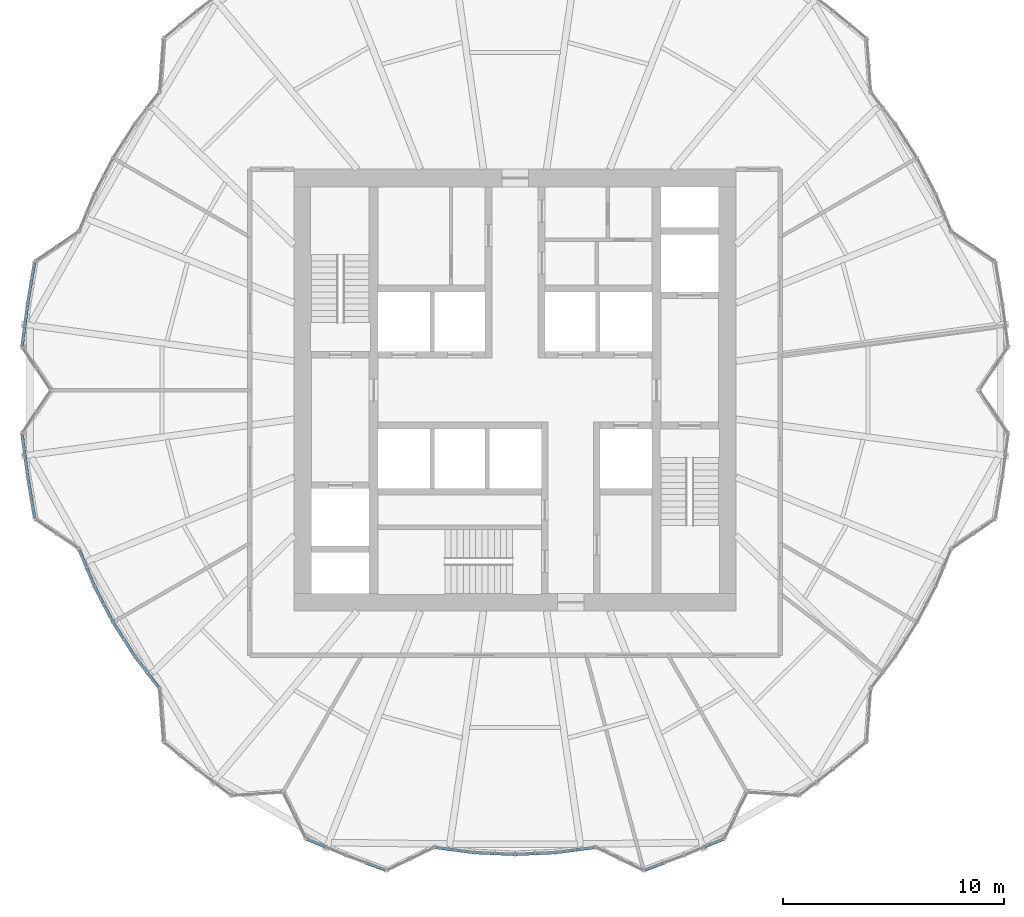
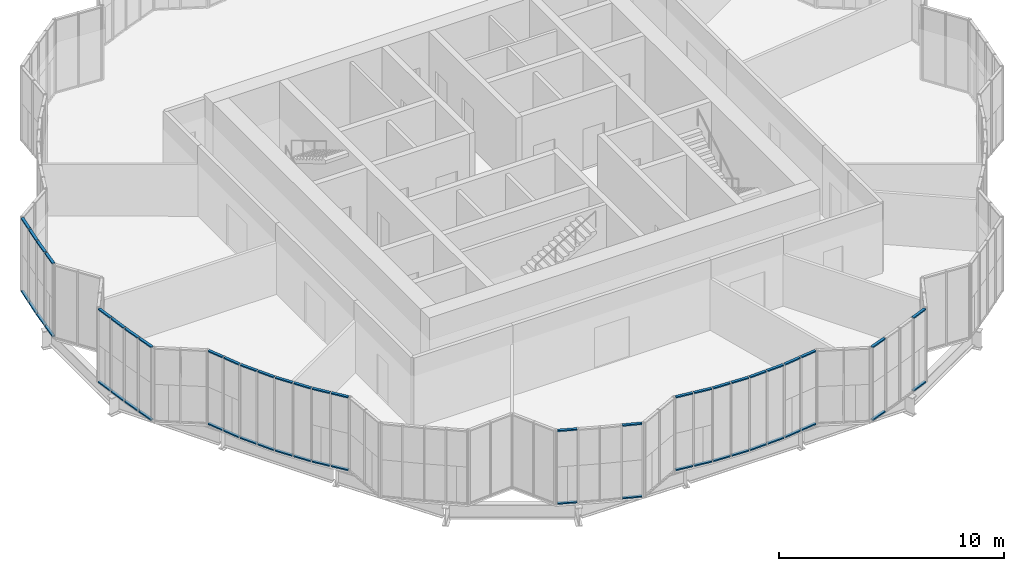
# One storey, part 9 of 22: 56 members, 16 elements without a shape of their own.
"""IFC4 building model written with IfcOpenShell, lengths in metres."""

from ifc_helpers import new_model, si_unit, direction, frame, origin, origin_2d, place, context, subcontext, project, spatial, rectangle, extrude, material, material_profile, profile_set, type_object, element, aggregate, save


model = new_model("IFC4")

# Units and contexts
model_context = context("Model", 3, precision=1e-05, world=origin(), true_north=direction((0.0, 1.0)))
body_context = subcontext(model_context, "Body", "Model", "MODEL_VIEW")
ifc_project = project(units=[si_unit("LENGTHUNIT", "METRE"), si_unit("AREAUNIT", "SQUARE_METRE"), si_unit("VOLUMEUNIT", "CUBIC_METRE"), si_unit("PLANEANGLEUNIT", "RADIAN"), si_unit("MASSUNIT", "GRAM", prefix="KILO")], contexts=[model_context])

# Site, building, storey
site_placement = place(None, origin())
site = spatial("IfcSite", under=ifc_project, at=site_placement, CompositionType="ELEMENT")
building_placement = place(site_placement, origin())
building = spatial("IfcBuilding", under=site, at=building_placement, Name="Golbaran Civic Tower", CompositionType="ELEMENT")
storey_placement = place(building_placement, frame((0.0, 0.0, 29.0)))
storey = spatial("IfcBuildingStorey", under=building, at=storey_placement, Name="L06", CompositionType="ELEMENT", Elevation=29.0)

# Curtain wall, members
ifc_material_1 = material(Name="Aluminium and glass", Category="aluminium")
curtain_wall_type = type_object("IfcCurtainWallType", Name="INNER SKIN CURTAIN WALL", PredefinedType="NOTDEFINED", material=ifc_material_1)
curtain_wall_1_placement = place(storey_placement, origin())
curtain_wall_1 = element("IfcCurtainWall", 1, at=curtain_wall_1_placement, inside=storey, type_object=curtain_wall_type, Name="Inner skin L06 facet 34 CW1", ObjectType="INNER SKIN", PredefinedType="USERDEFINED")
ifc_material_2 = material(Name="Aluminium", Category="aluminium")
ifc_material_profile = material_profile(ifc_material_2, rectangle(XDim=0.139892578125, YDim=0.06494140625, at=origin_2d()), Name="INNER SKIN CURTAIN WALL TRANSOM")
ifc_profile_set = profile_set([ifc_material_profile], Name="Aluminium")
member_type = type_object("IfcMemberType", Name="INNER SKIN CURTAIN WALL TRANSOM", PredefinedType="USERDEFINED", material=ifc_profile_set)
member_1_placement = place(storey_placement, frame((-21.745849609375, 5.759765625, 0.032470703125), z_axis=(-0.164488646574, -0.986378976433, 0.0), x_axis=(0.986378976433, -0.164488646574, 0.0)))
member_1 = element("IfcMember", 2, at=member_1_placement, type_object=member_type, Name="CW1 transom 1.1", ObjectType="TRANSOM", PredefinedType="USERDEFINED", context=body_context, shape_type="SweptSolid", body=[
    extrude(rectangle(XDim=0.139892578125, YDim=0.06494140625, at=origin_2d()), origin(), (0.0, 0.0, 1.0), 0.883056640625),
])
member_2_placement = place(storey_placement, frame((-21.745849609375, 5.759765625, 3.967529296875), z_axis=(-0.164488646574, -0.986378976433, 0.0), x_axis=(0.986378976433, -0.164488646574, 0.0)))
member_2 = element("IfcMember", 3, at=member_2_placement, type_object=member_type, Name="CW1 transom 1.2", ObjectType="TRANSOM", PredefinedType="USERDEFINED", context=body_context, shape_type="SweptSolid", body=[
    extrude(rectangle(XDim=0.139892578125, YDim=0.06494140625, at=origin_2d()), origin(), (0.0, 0.0, 1.0), 0.883056640625),
])
member_3_placement = place(storey_placement, frame((-21.90185546875, 4.82470703125, 0.032470703125), z_axis=(-0.164485447989, -0.986379509824, 0.0), x_axis=(0.986379509824, -0.164485447989, 0.0)))
member_3 = element("IfcMember", 4, at=member_3_placement, type_object=member_type, Name="CW1 transom 2.1", ObjectType="TRANSOM", PredefinedType="USERDEFINED", context=body_context, shape_type="SweptSolid", body=[
    extrude(rectangle(XDim=0.139892578125, YDim=0.06494140625, at=origin_2d()), origin(), (0.0, 0.0, 1.0), 0.915771484375),
])
member_4_placement = place(storey_placement, frame((-21.90185546875, 4.82470703125, 3.967529296875), z_axis=(-0.164485447989, -0.986379509824, 0.0), x_axis=(0.986379509824, -0.164485447989, 0.0)))
member_4 = element("IfcMember", 5, at=member_4_placement, type_object=member_type, Name="CW1 transom 2.2", ObjectType="TRANSOM", PredefinedType="USERDEFINED", context=body_context, shape_type="SweptSolid", body=[
    extrude(rectangle(XDim=0.139892578125, YDim=0.06494140625, at=origin_2d()), origin(), (0.0, 0.0, 1.0), 0.915771484375),
])
aggregate(curtain_wall_1, [member_1, member_2, member_3, member_4])

curtain_wall_2_placement = place(storey_placement, origin())
curtain_wall_2 = element("IfcCurtainWall", 6, at=curtain_wall_2_placement, inside=storey, type_object=curtain_wall_type, Name="Inner skin L06 facet 35 CW1", ObjectType="INNER SKIN", PredefinedType="USERDEFINED")
member_5_placement = place(storey_placement, frame((-22.06201171875, 3.857177734375, 0.032470703125), z_axis=(-0.130357573259, -0.991467045894, 0.0), x_axis=(0.991467045894, -0.130357573259, 0.0)))
member_5 = element("IfcMember", 7, at=member_5_placement, type_object=member_type, Name="CW1 transom 1.1", ObjectType="TRANSOM", PredefinedType="USERDEFINED", context=body_context, shape_type="SweptSolid", body=[
    extrude(rectangle(XDim=0.139892578125, YDim=0.06494140625, at=origin_2d()), origin(), (0.0, 0.0, 1.0), 0.912109375),
])
member_6_placement = place(storey_placement, frame((-22.06201171875, 3.857177734375, 3.967529296875), z_axis=(-0.130357573259, -0.991467045894, 0.0), x_axis=(0.991467045894, -0.130357573259, 0.0)))
member_6 = element("IfcMember", 8, at=member_6_placement, type_object=member_type, Name="CW1 transom 1.2", ObjectType="TRANSOM", PredefinedType="USERDEFINED", context=body_context, shape_type="SweptSolid", body=[
    extrude(rectangle(XDim=0.139892578125, YDim=0.06494140625, at=origin_2d()), origin(), (0.0, 0.0, 1.0), 0.912109375),
])
member_7_placement = place(storey_placement, frame((-22.189453125, 2.888427734375, 0.032470703125), z_axis=(-0.130490422253, -0.991449569923, 0.0), x_axis=(0.991449569923, -0.130490422253, 0.0)))
member_7 = element("IfcMember", 9, at=member_7_placement, type_object=member_type, Name="CW1 transom 2.1", ObjectType="TRANSOM", PredefinedType="USERDEFINED", context=body_context, shape_type="SweptSolid", body=[
    extrude(rectangle(XDim=0.139892578125, YDim=0.06494140625, at=origin_2d()), origin(), (0.0, 0.0, 1.0), 0.87939453125),
])
member_8_placement = place(storey_placement, frame((-22.189453125, 2.888427734375, 3.967529296875), z_axis=(-0.130490422253, -0.991449569923, 0.0), x_axis=(0.991449569923, -0.130490422253, 0.0)))
member_8 = element("IfcMember", 10, at=member_8_placement, type_object=member_type, Name="CW1 transom 2.2", ObjectType="TRANSOM", PredefinedType="USERDEFINED", context=body_context, shape_type="SweptSolid", body=[
    extrude(rectangle(XDim=0.139892578125, YDim=0.06494140625, at=origin_2d()), origin(), (0.0, 0.0, 1.0), 0.87939453125),
])
aggregate(curtain_wall_2, [member_5, member_6, member_7, member_8])

curtain_wall_3_placement = place(storey_placement, origin())
curtain_wall_3 = element("IfcCurtainWall", 11, at=curtain_wall_3_placement, inside=storey, type_object=curtain_wall_type, Name="Inner skin L06 facet 38 CW1", ObjectType="INNER SKIN", PredefinedType="USERDEFINED")
member_9_placement = place(storey_placement, frame((-22.30419921875, -2.0166015625, 0.032470703125), z_axis=(0.130490422253, -0.991449569923, 0.0), x_axis=(0.991449569923, 0.130490422253, 0.0)))
member_9 = element("IfcMember", 12, at=member_9_placement, type_object=member_type, Name="CW1 transom 1.1", ObjectType="TRANSOM", PredefinedType="USERDEFINED", context=body_context, shape_type="SweptSolid", body=[
    extrude(rectangle(XDim=0.139892578125, YDim=0.06494140625, at=origin_2d()), origin(), (0.0, 0.0, 1.0), 0.87939453125),
])
member_10_placement = place(storey_placement, frame((-22.30419921875, -2.0166015625, 3.967529296875), z_axis=(0.130490422253, -0.991449569923, 0.0), x_axis=(0.991449569923, 0.130490422253, 0.0)))
member_10 = element("IfcMember", 13, at=member_10_placement, type_object=member_type, Name="CW1 transom 1.2", ObjectType="TRANSOM", PredefinedType="USERDEFINED", context=body_context, shape_type="SweptSolid", body=[
    extrude(rectangle(XDim=0.139892578125, YDim=0.06494140625, at=origin_2d()), origin(), (0.0, 0.0, 1.0), 0.87939453125),
])
member_11_placement = place(storey_placement, frame((-22.180908203125, -2.952880859375, 0.032470703125), z_axis=(0.130357573259, -0.991467045894, 0.0), x_axis=(0.991467045894, 0.130357573259, 0.0)))
member_11 = element("IfcMember", 14, at=member_11_placement, type_object=member_type, Name="CW1 transom 2.1", ObjectType="TRANSOM", PredefinedType="USERDEFINED", context=body_context, shape_type="SweptSolid", body=[
    extrude(rectangle(XDim=0.139892578125, YDim=0.06494140625, at=origin_2d()), origin(), (0.0, 0.0, 1.0), 0.912109375),
])
member_12_placement = place(storey_placement, frame((-22.180908203125, -2.952880859375, 3.967529296875), z_axis=(0.130357573259, -0.991467045894, 0.0), x_axis=(0.991467045894, 0.130357573259, 0.0)))
member_12 = element("IfcMember", 15, at=member_12_placement, type_object=member_type, Name="CW1 transom 2.2", ObjectType="TRANSOM", PredefinedType="USERDEFINED", context=body_context, shape_type="SweptSolid", body=[
    extrude(rectangle(XDim=0.139892578125, YDim=0.06494140625, at=origin_2d()), origin(), (0.0, 0.0, 1.0), 0.912109375),
])
aggregate(curtain_wall_3, [member_9, member_10, member_11, member_12])

curtain_wall_4_placement = place(storey_placement, origin())
curtain_wall_4 = element("IfcCurtainWall", 16, at=curtain_wall_4_placement, inside=storey, type_object=curtain_wall_type, Name="Inner skin L06 facet 39 CW1", ObjectType="INNER SKIN", PredefinedType="USERDEFINED")
member_13_placement = place(storey_placement, frame((-22.052490234375, -3.92138671875, 0.032470703125), z_axis=(0.164485447989, -0.986379509824, 0.0), x_axis=(0.986379509824, 0.164485447989, 0.0)))
member_13 = element("IfcMember", 17, at=member_13_placement, type_object=member_type, Name="CW1 transom 1.1", ObjectType="TRANSOM", PredefinedType="USERDEFINED", context=body_context, shape_type="SweptSolid", body=[
    extrude(rectangle(XDim=0.139892578125, YDim=0.06494140625, at=origin_2d()), origin(), (0.0, 0.0, 1.0), 0.915771484375),
])
member_14_placement = place(storey_placement, frame((-22.052490234375, -3.92138671875, 3.967529296875), z_axis=(0.164485447989, -0.986379509824, 0.0), x_axis=(0.986379509824, 0.164485447989, 0.0)))
member_14 = element("IfcMember", 18, at=member_14_placement, type_object=member_type, Name="CW1 transom 1.2", ObjectType="TRANSOM", PredefinedType="USERDEFINED", context=body_context, shape_type="SweptSolid", body=[
    extrude(rectangle(XDim=0.139892578125, YDim=0.06494140625, at=origin_2d()), origin(), (0.0, 0.0, 1.0), 0.915771484375),
])
member_15_placement = place(storey_placement, frame((-21.89111328125, -4.888671875, 0.032470703125), z_axis=(0.164488646574, -0.986378976433, 0.0), x_axis=(0.986378976433, 0.164488646574, 0.0)))
member_15 = element("IfcMember", 19, at=member_15_placement, type_object=member_type, Name="CW1 transom 2.1", ObjectType="TRANSOM", PredefinedType="USERDEFINED", context=body_context, shape_type="SweptSolid", body=[
    extrude(rectangle(XDim=0.139892578125, YDim=0.06494140625, at=origin_2d()), origin(), (0.0, 0.0, 1.0), 0.883056640625),
])
member_16_placement = place(storey_placement, frame((-21.89111328125, -4.888671875, 3.967529296875), z_axis=(0.164488646574, -0.986378976433, 0.0), x_axis=(0.986378976433, 0.164488646574, 0.0)))
member_16 = element("IfcMember", 20, at=member_16_placement, type_object=member_type, Name="CW1 transom 2.2", ObjectType="TRANSOM", PredefinedType="USERDEFINED", context=body_context, shape_type="SweptSolid", body=[
    extrude(rectangle(XDim=0.139892578125, YDim=0.06494140625, at=origin_2d()), origin(), (0.0, 0.0, 1.0), 0.883056640625),
])
aggregate(curtain_wall_4, [member_13, member_14, member_15, member_16])

curtain_wall_5_placement = place(storey_placement, origin())
curtain_wall_5 = element("IfcCurtainWall", 21, at=curtain_wall_5_placement, inside=storey, type_object=curtain_wall_type, Name="Inner skin L06 facet 41 CW1", ObjectType="INNER SKIN", PredefinedType="USERDEFINED")
member_17_placement = place(storey_placement, frame((-19.71337890625, -7.244140625, 0.032470703125), z_axis=(0.382623964136, -0.923904162816, 0.0), x_axis=(0.923904162816, 0.382623964136, 0.0)))
member_17 = element("IfcMember", 22, at=member_17_placement, type_object=member_type, Name="CW1 transom 1.1", ObjectType="TRANSOM", PredefinedType="USERDEFINED", context=body_context, shape_type="SweptSolid", body=[
    extrude(rectangle(XDim=0.139892578125, YDim=0.06494140625, at=origin_2d()), origin(), (0.0, 0.0, 1.0), 0.818603515625),
])
member_18_placement = place(storey_placement, frame((-19.71337890625, -7.244140625, 3.967529296875), z_axis=(0.382623964136, -0.923904162816, 0.0), x_axis=(0.923904162816, 0.382623964136, 0.0)))
member_18 = element("IfcMember", 23, at=member_18_placement, type_object=member_type, Name="CW1 transom 1.2", ObjectType="TRANSOM", PredefinedType="USERDEFINED", context=body_context, shape_type="SweptSolid", body=[
    extrude(rectangle(XDim=0.139892578125, YDim=0.06494140625, at=origin_2d()), origin(), (0.0, 0.0, 1.0), 0.818603515625),
])
member_19_placement = place(storey_placement, frame((-19.375244140625, -8.060546875, 0.032470703125), z_axis=(0.382782280315, -0.923838582154, 0.0), x_axis=(0.923838582154, 0.382782280315, 0.0)))
member_19 = element("IfcMember", 24, at=member_19_placement, type_object=member_type, Name="CW1 transom 2.1", ObjectType="TRANSOM", PredefinedType="USERDEFINED", context=body_context, shape_type="SweptSolid", body=[
    extrude(rectangle(XDim=0.139892578125, YDim=0.06494140625, at=origin_2d()), origin(), (0.0, 0.0, 1.0), 0.8515625),
])
member_20_placement = place(storey_placement, frame((-19.375244140625, -8.060546875, 3.967529296875), z_axis=(0.382782280315, -0.923838582154, 0.0), x_axis=(0.923838582154, 0.382782280315, 0.0)))
member_20 = element("IfcMember", 25, at=member_20_placement, type_object=member_type, Name="CW1 transom 2.2", ObjectType="TRANSOM", PredefinedType="USERDEFINED", context=body_context, shape_type="SweptSolid", body=[
    extrude(rectangle(XDim=0.139892578125, YDim=0.06494140625, at=origin_2d()), origin(), (0.0, 0.0, 1.0), 0.8515625),
])
aggregate(curtain_wall_5, [member_17, member_18, member_19, member_20])

curtain_wall_6_placement = place(storey_placement, origin())
curtain_wall_6 = element("IfcCurtainWall", 26, at=curtain_wall_6_placement, inside=storey, type_object=curtain_wall_type, Name="Inner skin L06 facet 42 CW1", ObjectType="INNER SKIN", PredefinedType="USERDEFINED")
member_21_placement = place(storey_placement, frame((-19.02197265625, -8.906005859375, 0.032470703125), z_axis=(0.461840396749, -0.886963047669, 0.0), x_axis=(0.886963047669, 0.461840396749, 0.0)))
member_21 = element("IfcMember", 27, at=member_21_placement, type_object=member_type, Name="CW1 transom 1.1", ObjectType="TRANSOM", PredefinedType="USERDEFINED", context=body_context, shape_type="SweptSolid", body=[
    extrude(rectangle(XDim=0.139892578125, YDim=0.06494140625, at=origin_2d()), origin(), (0.0, 0.0, 1.0), 0.85107421875),
])
member_22_placement = place(storey_placement, frame((-19.02197265625, -8.906005859375, 3.967529296875), z_axis=(0.461840396749, -0.886963047669, 0.0), x_axis=(0.886963047669, 0.461840396749, 0.0)))
member_22 = element("IfcMember", 28, at=member_22_placement, type_object=member_type, Name="CW1 transom 1.2", ObjectType="TRANSOM", PredefinedType="USERDEFINED", context=body_context, shape_type="SweptSolid", body=[
    extrude(rectangle(XDim=0.139892578125, YDim=0.06494140625, at=origin_2d()), origin(), (0.0, 0.0, 1.0), 0.85107421875),
])
member_23_placement = place(storey_placement, frame((-18.598876953125, -9.718505859375, 0.032470703125), z_axis=(0.461722915657, -0.887024210017, 0.0), x_axis=(0.887024210017, 0.461722915657, 0.0)))
member_23 = element("IfcMember", 29, at=member_23_placement, type_object=member_type, Name="CW1 transom 2.1", ObjectType="TRANSOM", PredefinedType="USERDEFINED", context=body_context, shape_type="SweptSolid", body=[
    extrude(rectangle(XDim=0.139892578125, YDim=0.06494140625, at=origin_2d()), origin(), (0.0, 0.0, 1.0), 0.851318359375),
])
member_24_placement = place(storey_placement, frame((-18.598876953125, -9.718505859375, 3.967529296875), z_axis=(0.461722915657, -0.887024210017, 0.0), x_axis=(0.887024210017, 0.461722915657, 0.0)))
member_24 = element("IfcMember", 30, at=member_24_placement, type_object=member_type, Name="CW1 transom 2.2", ObjectType="TRANSOM", PredefinedType="USERDEFINED", context=body_context, shape_type="SweptSolid", body=[
    extrude(rectangle(XDim=0.139892578125, YDim=0.06494140625, at=origin_2d()), origin(), (0.0, 0.0, 1.0), 0.851318359375),
])
aggregate(curtain_wall_6, [member_21, member_22, member_23, member_24])

curtain_wall_7_placement = place(storey_placement, origin())
curtain_wall_7 = element("IfcCurtainWall", 31, at=curtain_wall_7_placement, inside=storey, type_object=curtain_wall_type, Name="Inner skin L06 facet 43 CW1", ObjectType="INNER SKIN", PredefinedType="USERDEFINED")
member_25_placement = place(storey_placement, frame((-18.17333984375, -10.530029296875, 0.032470703125), z_axis=(0.537302349411, -0.843389699556, 0.0), x_axis=(0.843389699556, 0.537302349411, 0.0)))
member_25 = element("IfcMember", 32, at=member_25_placement, type_object=member_type, Name="CW1 transom 1.1", ObjectType="TRANSOM", PredefinedType="USERDEFINED", context=body_context, shape_type="SweptSolid", body=[
    extrude(rectangle(XDim=0.139892578125, YDim=0.06494140625, at=origin_2d()), origin(), (0.0, 0.0, 1.0), 0.85107421875),
])
member_26_placement = place(storey_placement, frame((-18.17333984375, -10.530029296875, 3.967529296875), z_axis=(0.537302349411, -0.843389699556, 0.0), x_axis=(0.843389699556, 0.537302349411, 0.0)))
member_26 = element("IfcMember", 33, at=member_26_placement, type_object=member_type, Name="CW1 transom 1.2", ObjectType="TRANSOM", PredefinedType="USERDEFINED", context=body_context, shape_type="SweptSolid", body=[
    extrude(rectangle(XDim=0.139892578125, YDim=0.06494140625, at=origin_2d()), origin(), (0.0, 0.0, 1.0), 0.85107421875),
])
member_27_placement = place(storey_placement, frame((-17.68115234375, -11.302734375, 0.032470703125), z_axis=(0.537506352684, -0.843259699514, 0.0), x_axis=(0.843259699514, 0.537506352684, 0.0)))
member_27 = element("IfcMember", 34, at=member_27_placement, type_object=member_type, Name="CW1 transom 2.1", ObjectType="TRANSOM", PredefinedType="USERDEFINED", context=body_context, shape_type="SweptSolid", body=[
    extrude(rectangle(XDim=0.139892578125, YDim=0.06494140625, at=origin_2d()), origin(), (0.0, 0.0, 1.0), 0.85107421875),
])
member_28_placement = place(storey_placement, frame((-17.68115234375, -11.302734375, 3.967529296875), z_axis=(0.537506352684, -0.843259699514, 0.0), x_axis=(0.843259699514, 0.537506352684, 0.0)))
member_28 = element("IfcMember", 35, at=member_28_placement, type_object=member_type, Name="CW1 transom 2.2", ObjectType="TRANSOM", PredefinedType="USERDEFINED", context=body_context, shape_type="SweptSolid", body=[
    extrude(rectangle(XDim=0.139892578125, YDim=0.06494140625, at=origin_2d()), origin(), (0.0, 0.0, 1.0), 0.85107421875),
])
aggregate(curtain_wall_7, [member_25, member_26, member_27, member_28])

curtain_wall_8_placement = place(storey_placement, origin())
curtain_wall_8 = element("IfcCurtainWall", 36, at=curtain_wall_8_placement, inside=storey, type_object=curtain_wall_type, Name="Inner skin L06 facet 44 CW1", ObjectType="INNER SKIN", PredefinedType="USERDEFINED")
member_29_placement = place(storey_placement, frame((-17.1865234375, -12.07373046875, 0.032470703125), z_axis=(0.608864956283, -0.793273890287, 0.0), x_axis=(0.793273890287, 0.608864956283, 0.0)))
member_29 = element("IfcMember", 37, at=member_29_placement, type_object=member_type, Name="CW1 transom 1.1", ObjectType="TRANSOM", PredefinedType="USERDEFINED", context=body_context, shape_type="SweptSolid", body=[
    extrude(rectangle(XDim=0.139892578125, YDim=0.06494140625, at=origin_2d()), origin(), (0.0, 0.0, 1.0), 0.851318359375),
])
member_30_placement = place(storey_placement, frame((-17.1865234375, -12.07373046875, 3.967529296875), z_axis=(0.608864956283, -0.793273890287, 0.0), x_axis=(0.793273890287, 0.608864956283, 0.0)))
member_30 = element("IfcMember", 38, at=member_30_placement, type_object=member_type, Name="CW1 transom 1.2", ObjectType="TRANSOM", PredefinedType="USERDEFINED", context=body_context, shape_type="SweptSolid", body=[
    extrude(rectangle(XDim=0.139892578125, YDim=0.06494140625, at=origin_2d()), origin(), (0.0, 0.0, 1.0), 0.851318359375),
])
member_31_placement = place(storey_placement, frame((-16.628662109375, -12.800537109375, 0.032470703125), z_axis=(0.608600551426, -0.793476760091, 0.0), x_axis=(0.793476760091, 0.608600551426, 0.0)))
member_31 = element("IfcMember", 39, at=member_31_placement, type_object=member_type, Name="CW1 transom 2.1", ObjectType="TRANSOM", PredefinedType="USERDEFINED", context=body_context, shape_type="SweptSolid", body=[
    extrude(rectangle(XDim=0.139892578125, YDim=0.06494140625, at=origin_2d()), origin(), (0.0, 0.0, 1.0), 0.81884765625),
])
member_32_placement = place(storey_placement, frame((-16.628662109375, -12.800537109375, 3.967529296875), z_axis=(0.608600551426, -0.793476760091, 0.0), x_axis=(0.793476760091, 0.608600551426, 0.0)))
member_32 = element("IfcMember", 40, at=member_32_placement, type_object=member_type, Name="CW1 transom 2.2", ObjectType="TRANSOM", PredefinedType="USERDEFINED", context=body_context, shape_type="SweptSolid", body=[
    extrude(rectangle(XDim=0.139892578125, YDim=0.06494140625, at=origin_2d()), origin(), (0.0, 0.0, 1.0), 0.81884765625),
])
aggregate(curtain_wall_8, [member_29, member_30, member_31, member_32])

curtain_wall_9_placement = place(storey_placement, origin())
curtain_wall_9 = element("IfcCurtainWall", 41, at=curtain_wall_9_placement, inside=storey, type_object=curtain_wall_type, Name="Inner skin L06 facet 50 CW1", ObjectType="INNER SKIN", PredefinedType="USERDEFINED")
member_33_placement = place(storey_placement, frame((-9.40576171875, -20.324462890625, 0.032470703125), z_axis=(0.923928870591, -0.382564297979, 0.0), x_axis=(0.382564297979, 0.923928870591, 0.0)))
member_33 = element("IfcMember", 42, at=member_33_placement, type_object=member_type, Name="CW1 transom 1.1", ObjectType="TRANSOM", PredefinedType="USERDEFINED", context=body_context, shape_type="SweptSolid", body=[
    extrude(rectangle(XDim=0.139892578125, YDim=0.06494140625, at=origin_2d()), origin(), (0.0, 0.0, 1.0), 0.87939453125),
])
member_34_placement = place(storey_placement, frame((-9.40576171875, -20.324462890625, 3.967529296875), z_axis=(0.923928870591, -0.382564297979, 0.0), x_axis=(0.382564297979, 0.923928870591, 0.0)))
member_34 = element("IfcMember", 43, at=member_34_placement, type_object=member_type, Name="CW1 transom 1.2", ObjectType="TRANSOM", PredefinedType="USERDEFINED", context=body_context, shape_type="SweptSolid", body=[
    extrude(rectangle(XDim=0.139892578125, YDim=0.06494140625, at=origin_2d()), origin(), (0.0, 0.0, 1.0), 0.87939453125),
])
aggregate(curtain_wall_9, [member_33, member_34])

curtain_wall_10_placement = place(storey_placement, origin())
curtain_wall_10 = element("IfcCurtainWall", 44, at=curtain_wall_10_placement, inside=storey, type_object=curtain_wall_type, Name="Inner skin L06 facet 51 CW1", ObjectType="INNER SKIN", PredefinedType="USERDEFINED")
member_35_placement = place(storey_placement, frame((-6.7119140625, -21.402587890625, 0.032470703125), z_axis=(0.936465417096, -0.350759921575, 0.0), x_axis=(0.350759921575, 0.936465417096, 0.0)))
member_35 = element("IfcMember", 45, at=member_35_placement, type_object=member_type, Name="CW1 transom 2.1", ObjectType="TRANSOM", PredefinedType="USERDEFINED", context=body_context, shape_type="SweptSolid", body=[
    extrude(rectangle(XDim=0.139892578125, YDim=0.06494140625, at=origin_2d()), origin(), (0.0, 0.0, 1.0), 0.88330078125),
])
member_36_placement = place(storey_placement, frame((-6.7119140625, -21.402587890625, 3.967529296875), z_axis=(0.936465417096, -0.350759921575, 0.0), x_axis=(0.350759921575, 0.936465417096, 0.0)))
member_36 = element("IfcMember", 46, at=member_36_placement, type_object=member_type, Name="CW1 transom 2.2", ObjectType="TRANSOM", PredefinedType="USERDEFINED", context=body_context, shape_type="SweptSolid", body=[
    extrude(rectangle(XDim=0.139892578125, YDim=0.06494140625, at=origin_2d()), origin(), (0.0, 0.0, 1.0), 0.88330078125),
])
aggregate(curtain_wall_10, [member_35, member_36])

curtain_wall_11_placement = place(storey_placement, origin())
curtain_wall_11 = element("IfcCurtainWall", 47, at=curtain_wall_11_placement, inside=storey, type_object=curtain_wall_type, Name="Inner skin L06 facet 53 CW1", ObjectType="INNER SKIN", PredefinedType="USERDEFINED")
member_37_placement = place(storey_placement, frame((-3.5830078125, -20.6943359375, 0.032470703125), z_axis=(0.99143500172, -0.130601061881, 0.0), x_axis=(0.130601061881, 0.99143500172, 0.0)))
member_37 = element("IfcMember", 48, at=member_37_placement, type_object=member_type, Name="CW1 transom 1.1", ObjectType="TRANSOM", PredefinedType="USERDEFINED", context=body_context, shape_type="SweptSolid", body=[
    extrude(rectangle(XDim=0.139892578125, YDim=0.06494140625, at=origin_2d()), origin(), (0.0, 0.0, 1.0), 0.81884765625),
])
member_38_placement = place(storey_placement, frame((-3.5830078125, -20.6943359375, 3.967529296875), z_axis=(0.99143500172, -0.130601061881, 0.0), x_axis=(0.130601061881, 0.99143500172, 0.0)))
member_38 = element("IfcMember", 49, at=member_38_placement, type_object=member_type, Name="CW1 transom 1.2", ObjectType="TRANSOM", PredefinedType="USERDEFINED", context=body_context, shape_type="SweptSolid", body=[
    extrude(rectangle(XDim=0.139892578125, YDim=0.06494140625, at=origin_2d()), origin(), (0.0, 0.0, 1.0), 0.81884765625),
])
member_39_placement = place(storey_placement, frame((-2.706787109375, -20.809814453125, 0.032470703125), z_axis=(0.991444528425, -0.13052872119, 0.0), x_axis=(0.13052872119, 0.991444528425, 0.0)))
member_39 = element("IfcMember", 50, at=member_39_placement, type_object=member_type, Name="CW1 transom 2.1", ObjectType="TRANSOM", PredefinedType="USERDEFINED", context=body_context, shape_type="SweptSolid", body=[
    extrude(rectangle(XDim=0.139892578125, YDim=0.06494140625, at=origin_2d()), origin(), (0.0, 0.0, 1.0), 0.85107421875),
])
member_40_placement = place(storey_placement, frame((-2.706787109375, -20.809814453125, 3.967529296875), z_axis=(0.991444528425, -0.13052872119, 0.0), x_axis=(0.13052872119, 0.991444528425, 0.0)))
member_40 = element("IfcMember", 51, at=member_40_placement, type_object=member_type, Name="CW1 transom 2.2", ObjectType="TRANSOM", PredefinedType="USERDEFINED", context=body_context, shape_type="SweptSolid", body=[
    extrude(rectangle(XDim=0.139892578125, YDim=0.06494140625, at=origin_2d()), origin(), (0.0, 0.0, 1.0), 0.85107421875),
])
aggregate(curtain_wall_11, [member_37, member_38, member_39, member_40])

curtain_wall_12_placement = place(storey_placement, origin())
curtain_wall_12 = element("IfcCurtainWall", 52, at=curtain_wall_12_placement, inside=storey, type_object=curtain_wall_type, Name="Inner skin L06 facet 54 CW1", ObjectType="INNER SKIN", PredefinedType="USERDEFINED")
member_41_placement = place(storey_placement, frame((-1.79833984375, -20.926513671875, 0.032470703125), z_axis=(0.99904965466, -0.043586552098, 0.0), x_axis=(0.043586552098, 0.99904965466, 0.0)))
member_41 = element("IfcMember", 53, at=member_41_placement, type_object=member_type, Name="CW1 transom 1.1", ObjectType="TRANSOM", PredefinedType="USERDEFINED", context=body_context, shape_type="SweptSolid", body=[
    extrude(rectangle(XDim=0.139892578125, YDim=0.06494140625, at=origin_2d()), origin(), (0.0, 0.0, 1.0), 0.851318359375),
])
member_42_placement = place(storey_placement, frame((-1.79833984375, -20.926513671875, 3.967529296875), z_axis=(0.99904965466, -0.043586552098, 0.0), x_axis=(0.043586552098, 0.99904965466, 0.0)))
member_42 = element("IfcMember", 54, at=member_42_placement, type_object=member_type, Name="CW1 transom 1.2", ObjectType="TRANSOM", PredefinedType="USERDEFINED", context=body_context, shape_type="SweptSolid", body=[
    extrude(rectangle(XDim=0.139892578125, YDim=0.06494140625, at=origin_2d()), origin(), (0.0, 0.0, 1.0), 0.851318359375),
])
member_43_placement = place(storey_placement, frame((-0.8828125, -20.966552734375, 0.032470703125), z_axis=(0.999049109655, -0.043599042397, 0.0), x_axis=(0.043599042397, 0.999049109655, 0.0)))
member_43 = element("IfcMember", 55, at=member_43_placement, type_object=member_type, Name="CW1 transom 2.1", ObjectType="TRANSOM", PredefinedType="USERDEFINED", context=body_context, shape_type="SweptSolid", body=[
    extrude(rectangle(XDim=0.139892578125, YDim=0.06494140625, at=origin_2d()), origin(), (0.0, 0.0, 1.0), 0.85107421875),
])
member_44_placement = place(storey_placement, frame((-0.8828125, -20.966552734375, 3.967529296875), z_axis=(0.999049109655, -0.043599042397, 0.0), x_axis=(0.043599042397, 0.999049109655, 0.0)))
member_44 = element("IfcMember", 56, at=member_44_placement, type_object=member_type, Name="CW1 transom 2.2", ObjectType="TRANSOM", PredefinedType="USERDEFINED", context=body_context, shape_type="SweptSolid", body=[
    extrude(rectangle(XDim=0.139892578125, YDim=0.06494140625, at=origin_2d()), origin(), (0.0, 0.0, 1.0), 0.85107421875),
])
aggregate(curtain_wall_12, [member_41, member_42, member_43, member_44])

curtain_wall_13_placement = place(storey_placement, origin())
curtain_wall_13 = element("IfcCurtainWall", 57, at=curtain_wall_13_placement, inside=storey, type_object=curtain_wall_type, Name="Inner skin L06 facet 55 CW1", ObjectType="INNER SKIN", PredefinedType="USERDEFINED")
member_45_placement = place(storey_placement, frame((0.032470703125, -21.003662109375, 0.032470703125), z_axis=(0.999049109655, 0.043599042397, 0.0), x_axis=(-0.043599042397, 0.999049109655, 0.0)))
member_45 = element("IfcMember", 58, at=member_45_placement, type_object=member_type, Name="CW1 transom 1.1", ObjectType="TRANSOM", PredefinedType="USERDEFINED", context=body_context, shape_type="SweptSolid", body=[
    extrude(rectangle(XDim=0.139892578125, YDim=0.06494140625, at=origin_2d()), origin(), (0.0, 0.0, 1.0), 0.85107421875),
])
member_46_placement = place(storey_placement, frame((0.032470703125, -21.003662109375, 3.967529296875), z_axis=(0.999049109655, 0.043599042397, 0.0), x_axis=(-0.043599042397, 0.999049109655, 0.0)))
member_46 = element("IfcMember", 59, at=member_46_placement, type_object=member_type, Name="CW1 transom 1.2", ObjectType="TRANSOM", PredefinedType="USERDEFINED", context=body_context, shape_type="SweptSolid", body=[
    extrude(rectangle(XDim=0.139892578125, YDim=0.06494140625, at=origin_2d()), origin(), (0.0, 0.0, 1.0), 0.85107421875),
])
member_47_placement = place(storey_placement, frame((0.94775390625, -20.963623046875, 0.032470703125), z_axis=(0.99904965466, 0.043586552098, 0.0), x_axis=(-0.043586552098, 0.99904965466, 0.0)))
member_47 = element("IfcMember", 60, at=member_47_placement, type_object=member_type, Name="CW1 transom 2.1", ObjectType="TRANSOM", PredefinedType="USERDEFINED", context=body_context, shape_type="SweptSolid", body=[
    extrude(rectangle(XDim=0.139892578125, YDim=0.06494140625, at=origin_2d()), origin(), (0.0, 0.0, 1.0), 0.851318359375),
])
member_48_placement = place(storey_placement, frame((0.94775390625, -20.963623046875, 3.967529296875), z_axis=(0.99904965466, 0.043586552098, 0.0), x_axis=(-0.043586552098, 0.99904965466, 0.0)))
member_48 = element("IfcMember", 61, at=member_48_placement, type_object=member_type, Name="CW1 transom 2.2", ObjectType="TRANSOM", PredefinedType="USERDEFINED", context=body_context, shape_type="SweptSolid", body=[
    extrude(rectangle(XDim=0.139892578125, YDim=0.06494140625, at=origin_2d()), origin(), (0.0, 0.0, 1.0), 0.851318359375),
])
aggregate(curtain_wall_13, [member_45, member_46, member_47, member_48])

curtain_wall_14_placement = place(storey_placement, origin())
curtain_wall_14 = element("IfcCurtainWall", 62, at=curtain_wall_14_placement, inside=storey, type_object=curtain_wall_type, Name="Inner skin L06 facet 56 CW1", ObjectType="INNER SKIN", PredefinedType="USERDEFINED")
member_49_placement = place(storey_placement, frame((1.863037109375, -20.9208984375, 0.032470703125), z_axis=(0.991444528425, 0.13052872119, 0.0), x_axis=(-0.13052872119, 0.991444528425, 0.0)))
member_49 = element("IfcMember", 63, at=member_49_placement, type_object=member_type, Name="CW1 transom 1.1", ObjectType="TRANSOM", PredefinedType="USERDEFINED", context=body_context, shape_type="SweptSolid", body=[
    extrude(rectangle(XDim=0.139892578125, YDim=0.06494140625, at=origin_2d()), origin(), (0.0, 0.0, 1.0), 0.85107421875),
])
member_50_placement = place(storey_placement, frame((1.863037109375, -20.9208984375, 3.967529296875), z_axis=(0.991444528425, 0.13052872119, 0.0), x_axis=(-0.13052872119, 0.991444528425, 0.0)))
member_50 = element("IfcMember", 64, at=member_50_placement, type_object=member_type, Name="CW1 transom 1.2", ObjectType="TRANSOM", PredefinedType="USERDEFINED", context=body_context, shape_type="SweptSolid", body=[
    extrude(rectangle(XDim=0.139892578125, YDim=0.06494140625, at=origin_2d()), origin(), (0.0, 0.0, 1.0), 0.85107421875),
])
member_51_placement = place(storey_placement, frame((2.771240234375, -20.80126953125, 0.032470703125), z_axis=(0.99143500172, 0.130601061881, 0.0), x_axis=(-0.130601061881, 0.99143500172, 0.0)))
member_51 = element("IfcMember", 65, at=member_51_placement, type_object=member_type, Name="CW1 transom 2.1", ObjectType="TRANSOM", PredefinedType="USERDEFINED", context=body_context, shape_type="SweptSolid", body=[
    extrude(rectangle(XDim=0.139892578125, YDim=0.06494140625, at=origin_2d()), origin(), (0.0, 0.0, 1.0), 0.81884765625),
])
member_52_placement = place(storey_placement, frame((2.771240234375, -20.80126953125, 3.967529296875), z_axis=(0.99143500172, 0.130601061881, 0.0), x_axis=(-0.130601061881, 0.99143500172, 0.0)))
member_52 = element("IfcMember", 66, at=member_52_placement, type_object=member_type, Name="CW1 transom 2.2", ObjectType="TRANSOM", PredefinedType="USERDEFINED", context=body_context, shape_type="SweptSolid", body=[
    extrude(rectangle(XDim=0.139892578125, YDim=0.06494140625, at=origin_2d()), origin(), (0.0, 0.0, 1.0), 0.81884765625),
])
aggregate(curtain_wall_14, [member_49, member_50, member_51, member_52])

curtain_wall_15_placement = place(storey_placement, origin())
curtain_wall_15 = element("IfcCurtainWall", 67, at=curtain_wall_15_placement, inside=storey, type_object=curtain_wall_type, Name="Inner skin L06 facet 58 CW1", ObjectType="INNER SKIN", PredefinedType="USERDEFINED")
member_53_placement = place(storey_placement, frame((5.884765625, -21.71240234375, 0.032470703125), z_axis=(0.936465417096, 0.350759921575, 0.0), x_axis=(-0.350759921575, 0.936465417096, 0.0)))
member_53 = element("IfcMember", 68, at=member_53_placement, type_object=member_type, Name="CW1 transom 1.1", ObjectType="TRANSOM", PredefinedType="USERDEFINED", context=body_context, shape_type="SweptSolid", body=[
    extrude(rectangle(XDim=0.139892578125, YDim=0.06494140625, at=origin_2d()), origin(), (0.0, 0.0, 1.0), 0.88330078125),
])
member_54_placement = place(storey_placement, frame((5.884765625, -21.71240234375, 3.967529296875), z_axis=(0.936465417096, 0.350759921575, 0.0), x_axis=(-0.350759921575, 0.936465417096, 0.0)))
member_54 = element("IfcMember", 69, at=member_54_placement, type_object=member_type, Name="CW1 transom 1.2", ObjectType="TRANSOM", PredefinedType="USERDEFINED", context=body_context, shape_type="SweptSolid", body=[
    extrude(rectangle(XDim=0.139892578125, YDim=0.06494140625, at=origin_2d()), origin(), (0.0, 0.0, 1.0), 0.88330078125),
])
aggregate(curtain_wall_15, [member_53, member_54])

curtain_wall_16_placement = place(storey_placement, origin())
curtain_wall_16 = element("IfcCurtainWall", 70, at=curtain_wall_16_placement, inside=storey, type_object=curtain_wall_type, Name="Inner skin L06 facet 59 CW1", ObjectType="INNER SKIN", PredefinedType="USERDEFINED")
member_55_placement = place(storey_placement, frame((8.59326171875, -20.660888671875, 0.032470703125), z_axis=(0.923928870591, 0.382564297979, 0.0), x_axis=(-0.382564297979, 0.923928870591, 0.0)))
member_55 = element("IfcMember", 71, at=member_55_placement, type_object=member_type, Name="CW1 transom 2.1", ObjectType="TRANSOM", PredefinedType="USERDEFINED", context=body_context, shape_type="SweptSolid", body=[
    extrude(rectangle(XDim=0.139892578125, YDim=0.06494140625, at=origin_2d()), origin(), (0.0, 0.0, 1.0), 0.87939453125),
])
member_56_placement = place(storey_placement, frame((8.59326171875, -20.660888671875, 3.967529296875), z_axis=(0.923928870591, 0.382564297979, 0.0), x_axis=(-0.382564297979, 0.923928870591, 0.0)))
member_56 = element("IfcMember", 72, at=member_56_placement, type_object=member_type, Name="CW1 transom 2.2", ObjectType="TRANSOM", PredefinedType="USERDEFINED", context=body_context, shape_type="SweptSolid", body=[
    extrude(rectangle(XDim=0.139892578125, YDim=0.06494140625, at=origin_2d()), origin(), (0.0, 0.0, 1.0), 0.87939453125),
])
aggregate(curtain_wall_16, [member_55, member_56])

save(model, "model.ifc")
